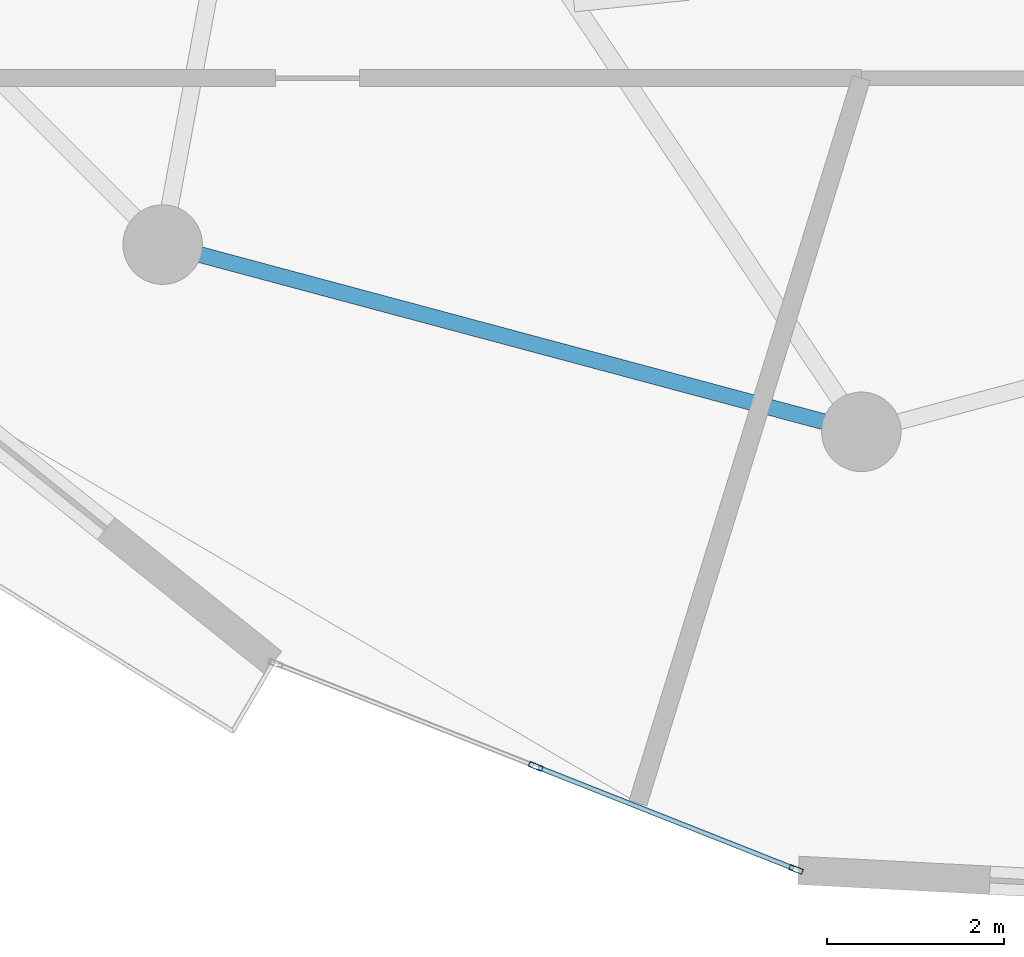
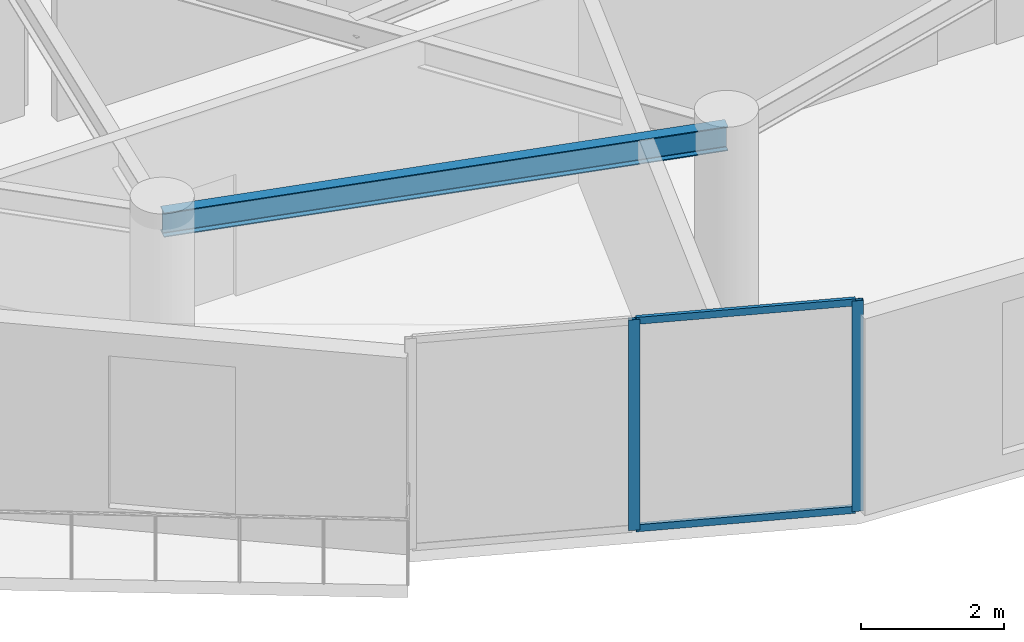
# One storey, part 3 of 18: 4 members, 1 beam, 1 element without a shape of its own.
"""IFC4 building model written with IfcOpenShell, lengths in metres."""

from ifc_helpers import new_model, si_unit, direction, frame, origin, origin_2d, place, context, subcontext, project, spatial, hollow_rectangle, i_section, extrude, source, transform, mapped, material, layer, layer_set, material_profile, profile_set, type_object, element, aggregate, save


model = new_model("IFC4")

# Units and contexts
model_context = context("Model", 3, precision=1e-05, world=origin(), true_north=direction((0.0, 1.0)))
body_context = subcontext(model_context, "Body", "Model", "MODEL_VIEW")
ifc_project = project(units=[si_unit("LENGTHUNIT", "METRE"), si_unit("AREAUNIT", "SQUARE_METRE"), si_unit("VOLUMEUNIT", "CUBIC_METRE"), si_unit("PLANEANGLEUNIT", "RADIAN"), si_unit("MASSUNIT", "GRAM", prefix="KILO")], contexts=[model_context])

# Site, building, storey
site_placement = place(None, origin())
site = spatial("IfcSite", under=ifc_project, at=site_placement, CompositionType="ELEMENT")
building_placement = place(site_placement, origin())
building = spatial("IfcBuilding", under=site, at=building_placement, Name="Solvirekh Grand Hotel", CompositionType="ELEMENT")
storey_placement = place(building_placement, frame((0.0, 0.0, 198.39990234375)))
storey = spatial("IfcBuildingStorey", under=building, at=storey_placement, Name="L51", CompositionType="ELEMENT", Elevation=198.39990234375)

# Beam
ifc_material_1 = material(Name="Steel S355", Category="steel")
ifc_material_profile_1 = material_profile(ifc_material_1, i_section(OverallWidth=0.180908203125, OverallDepth=0.4169921875, WebThickness=0.010009765625, FlangeThickness=0.01611328125, FilletRadius=0.011962890625, at=origin_2d()), Name="W410X85")
ifc_profile_set_1 = profile_set([ifc_material_profile_1], Name="Steel S355")
beam_type = type_object("IfcBeamType", Name="Spandrel_Ring_W410", PredefinedType="SPANDREL", material=ifc_profile_set_1)
beam_placement = place(storey_placement, frame((-7.89990234375, -13.68310546875, 3.152099609375), z_axis=(0.965920601923, -0.258838541915, 0.0), x_axis=(0.258838541915, 0.965920601923, 0.0)))
element("IfcBeam", 1, at=beam_placement, inside=storey, type_object=beam_type, Name="L51 perimeter spandrel beam 9", PredefinedType="SPANDREL", context=body_context, shape_type="SweptSolid", body=[
    extrude(i_section(OverallWidth=0.180908203125, OverallDepth=0.4169921875, WebThickness=0.010009765625, FlangeThickness=0.01611328125, FilletRadius=0.011962890625, at=origin_2d()), origin(), (0.0, 0.0, 1.0), 8.1787109375),
])

# Curtain wall, members
ifc_material_2 = material(Name="Anodized Bronze Aluminium 6063-T6", Category="aluminium")
ifc_layer = layer(ifc_material_2, 0.159912109375)
ifc_layer_set = layer_set([ifc_layer], Name="Anodized Bronze Aluminium 6063-T6")
curtain_wall_type = type_object("IfcCurtainWallType", Name="CW_Sys4_HighZoneFlushBronzeCW", PredefinedType="NOTDEFINED", material=ifc_layer_set)
curtain_wall_placement = place(storey_placement, origin())
curtain_wall = element("IfcCurtainWall", 2, at=curtain_wall_placement, inside=storey, type_object=curtain_wall_type, Name="L51 unitised bronze-glass curtain wall CW-L51-C18", PredefinedType="NOTDEFINED")
ifc_material_profile_2 = material_profile(ifc_material_2, hollow_rectangle(XDim=0.06005859375, YDim=0.159912109375, WallThickness=0.0048828125, at=origin_2d()), Name="ALU RHS 160X60X5")
ifc_profile_set_2 = profile_set([ifc_material_profile_2], Name="Anodized Bronze Aluminium 6063-T6")
member_type_1 = type_object("IfcMemberType", Name="CWMullion_Sys4", PredefinedType="MULLION", material=ifc_profile_set_2)
shared_shape_1 = source(origin(), body_context, "Body", "SweptSolid", [
    extrude(hollow_rectangle(XDim=0.06005859375, YDim=0.159912109375, WallThickness=0.0048828125, at=origin_2d()), origin(), (0.0, 0.0, 1.0), 3.60009765625),
])
member_1_placement = place(storey_placement, frame((-3.681396484375, -19.5830078125, 0.0), z_axis=(0.0, 0.0, 1.0), x_axis=(0.367825727559, 0.929894743584, 0.0)))
member_1 = element("IfcMember", 3, at=member_1_placement, type_object=member_type_1, Name="U04 mullion 2", PredefinedType="MULLION", context=body_context, shape_type="MappedRepresentation", body=[
    mapped(shared_shape_1, transform((0.0, 0.0, 0.0), x_axis=(1.0, 0.0, 0.0), y_axis=(0.0, 1.0, 0.0), z_axis=(0.0, 0.0, 1.0), scale=1.0)),
])
member_2_placement = place(storey_placement, frame((-0.739013671875, -20.7470703125, 0.0), z_axis=(0.0, 0.0, 1.0), x_axis=(0.367825727559, 0.929894743584, 0.0)))
member_2 = element("IfcMember", 4, at=member_2_placement, type_object=member_type_1, Name="U04 mullion 3", PredefinedType="MULLION", context=body_context, shape_type="MappedRepresentation", body=[
    mapped(shared_shape_1, transform((0.0, 0.0, 0.0), x_axis=(1.0, 0.0, 0.0), y_axis=(0.0, 1.0, 0.0), z_axis=(0.0, 0.0, 1.0), scale=1.0)),
])
ifc_material_profile_3 = material_profile(ifc_material_2, hollow_rectangle(XDim=0.054931640625, YDim=0.1201171875, WallThickness=0.00390625, at=origin_2d()), Name="ALU RHS 120X55X4")
ifc_profile_set_3 = profile_set([ifc_material_profile_3], Name="Anodized Bronze Aluminium 6063-T6")
member_type_2 = type_object("IfcMemberType", Name="CWTransom_Sys4", PredefinedType="USERDEFINED", material=ifc_profile_set_3)
shared_shape_2 = source(origin(), body_context, "Body", "SweptSolid", [
    extrude(hollow_rectangle(XDim=0.054931640625, YDim=0.1201171875, WallThickness=0.00390625, at=origin_2d()), origin(), (0.0, 0.0, 1.0), 3.104248046875),
])
member_3_placement = place(storey_placement, frame((-3.653564453125, -19.593994140625, 0.027587890625), z_axis=(0.929896296609, -0.367821801357, 0.0), x_axis=(0.367821801357, 0.929896296609, 0.0)))
member_3 = element("IfcMember", 5, at=member_3_placement, type_object=member_type_2, Name="U04 transom 2.1", ObjectType="TRANSOM", PredefinedType="USERDEFINED", context=body_context, shape_type="MappedRepresentation", body=[
    mapped(shared_shape_2, transform((0.0, 0.0, 0.0), x_axis=(1.0, 0.0, 0.0), y_axis=(0.0, 1.0, 0.0), z_axis=(0.0, 0.0, 1.0), scale=1.0)),
])
member_4_placement = place(storey_placement, frame((-3.653564453125, -19.593994140625, 3.572509765625), z_axis=(0.929896296609, -0.367821801357, 0.0), x_axis=(0.367821801357, 0.929896296609, 0.0)))
member_4 = element("IfcMember", 6, at=member_4_placement, type_object=member_type_2, Name="U04 transom 2.2", ObjectType="TRANSOM", PredefinedType="USERDEFINED", context=body_context, shape_type="MappedRepresentation", body=[
    mapped(shared_shape_2, transform((0.0, 0.0, 0.0), x_axis=(1.0, 0.0, 0.0), y_axis=(0.0, 1.0, 0.0), z_axis=(0.0, 0.0, 1.0), scale=1.0)),
])
aggregate(curtain_wall, [member_1, member_2, member_3, member_4])

save(model, "model.ifc")
